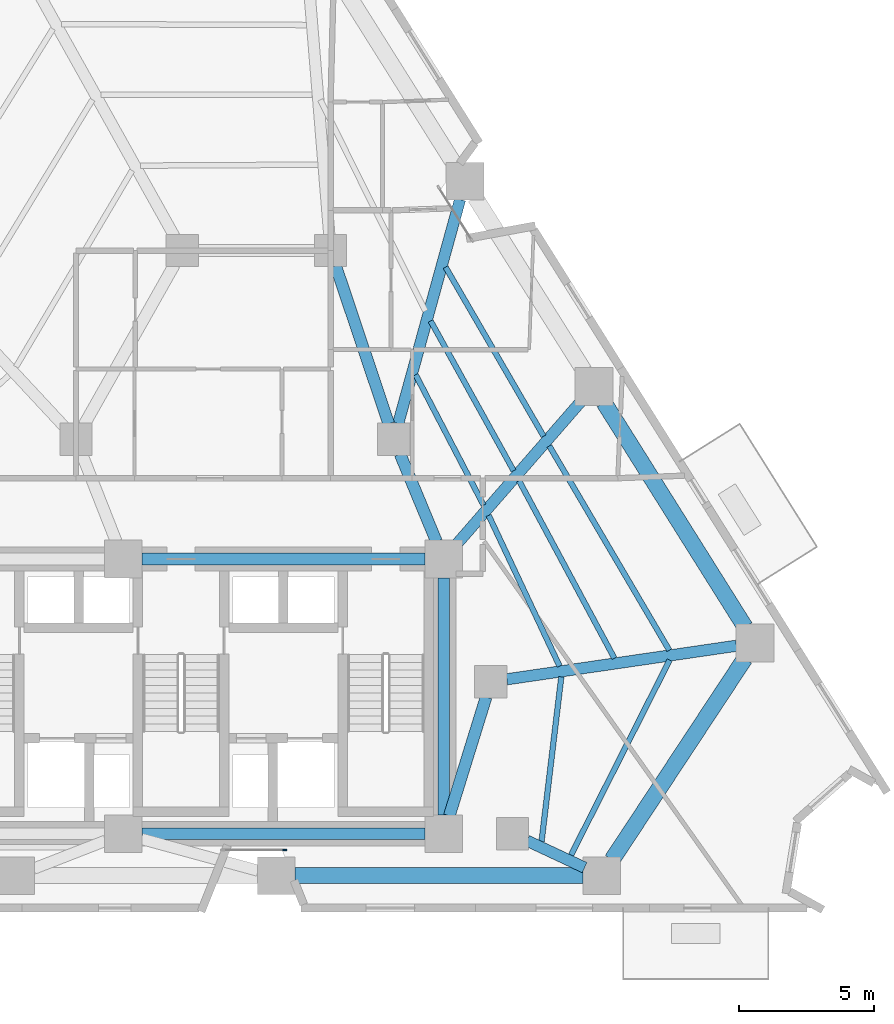
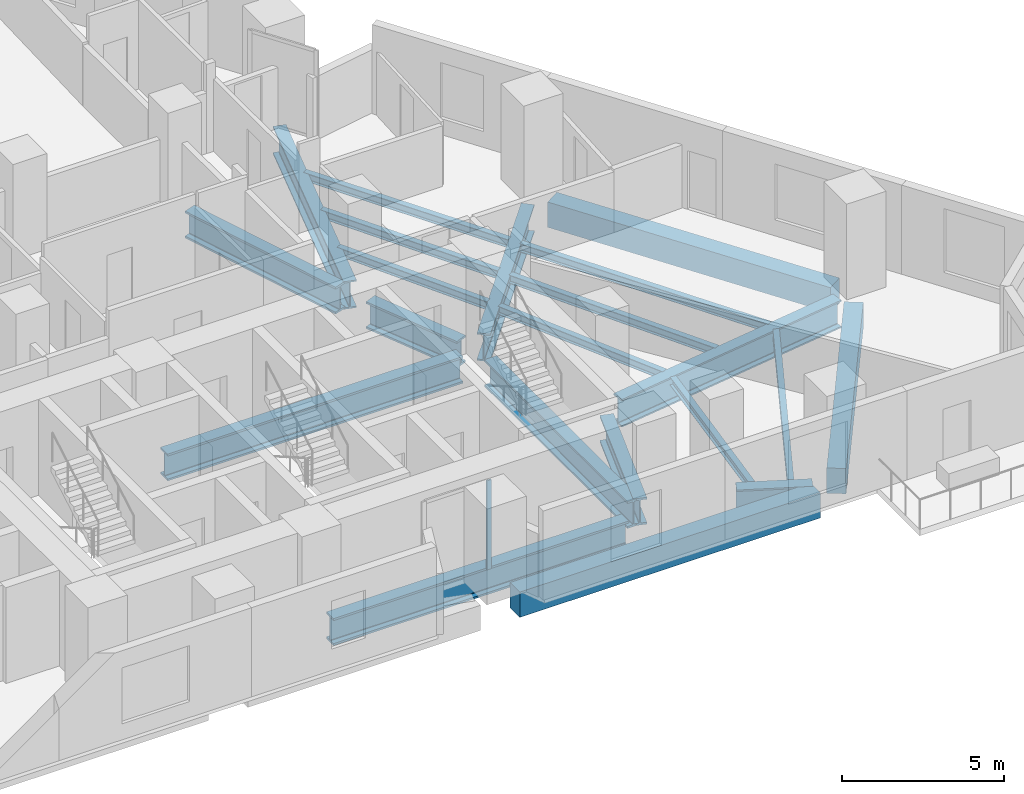
# One storey, part 4 of 13: 21 beams, 1 member, 1 element without a shape of its own.
"""IFC4 building model written with IfcOpenShell, lengths in metres."""

import ifcopenshell
import ifcopenshell.guid

model = None  # the IFC model being written
_history = None  # IfcOwnerHistory: only IFC2X3 demands one
_inside = {}  # id of a spatial element -> (the spatial element, [elements in it])
_under = {}  # id of a project, library or spatial element -> (it, [spatial elements below it])
_declared = {}  # id of a project -> (the project, [libraries it declares])
_typed = {}  # id of a type object -> (the type object, [elements of that type])
_made_of = {}  # id of a material, layer set ... -> (it, [elements and type objects made of it])


def new_model(schema):
    """Start an empty IFC model of exactly this schema.

    Asked for "IFC4X3", IfcOpenShell would pick the latest addendum, in which some entities
    have other attributes; the version numbers below select the first issue.
    IFC2X3 requires an IfcOwnerHistory on every rooted entity: one is made here for all.
    """
    global model, _history
    if schema == "IFC4X3":
        model = ifcopenshell.file(schema_version=(4, 3, 0, 0))
    else:
        model = ifcopenshell.file(schema=schema)
    _inside.clear()
    _under.clear()
    _declared.clear()
    _typed.clear()
    _made_of.clear()
    _history = None
    if model.schema == "IFC2X3":
        org = make("IfcOrganization", Name="unknown")
        user = make(
            "IfcPersonAndOrganization",
            ThePerson=make("IfcPerson", FamilyName="unknown"),
            TheOrganization=org,
        )
        app = make(
            "IfcApplication",
            ApplicationDeveloper=org,
            Version="unknown",
            ApplicationFullName="unknown",
            ApplicationIdentifier="unknown",
        )
        _history = make(
            "IfcOwnerHistory",
            OwningUser=user,
            OwningApplication=app,
            ChangeAction="ADDED",
            CreationDate=0,
        )
    return model


def make(cls, **values):
    """One entity of the class cls with the attributes given. An attribute that is None is left unset."""
    return model.create_entity(
        cls, **{name: value for name, value in values.items() if value is not None}
    )


def rooted(cls, **values):
    """An entity with a GlobalId (a new one), such as an element, a storey or a relation."""
    return make(cls, GlobalId=ifcopenshell.guid.new(), OwnerHistory=_history, **values)


def si_unit(unit_type, name, prefix=None):
    """IfcSIUnit, for example si_unit("LENGTHUNIT", "METRE", prefix="MILLI")."""
    return make("IfcSIUnit", UnitType=unit_type, Prefix=prefix, Name=name)


def assignment(units):
    """IfcUnitAssignment: the units of a project."""
    return None if units is None else make("IfcUnitAssignment", Units=units)


def point(xyz):
    """IfcCartesianPoint."""
    return None if xyz is None else make("IfcCartesianPoint", Coordinates=xyz)


def direction(xyz):
    """IfcDirection."""
    return None if xyz is None else make("IfcDirection", DirectionRatios=xyz)


def frame(location, z_axis=None, x_axis=None):
    """IfcAxis2Placement3D, a coordinate frame: its origin and axes. An axis left out is left unset."""
    return make(
        "IfcAxis2Placement3D",
        Location=point(location),
        Axis=direction(z_axis),
        RefDirection=direction(x_axis),
    )


def frame_2d(location, x_axis=None):
    """IfcAxis2Placement2D, a coordinate frame in the plane: its origin and x axis."""
    return make(
        "IfcAxis2Placement2D", Location=point(location), RefDirection=direction(x_axis)
    )


def origin():
    """The frame at (0, 0, 0) with its axes left unset."""
    return frame((0.0, 0.0, 0.0))


def origin_2d():
    """The frame at (0, 0) in the plane with its x axis left unset."""
    return frame_2d((0.0, 0.0))


def place(relative_to, where):
    """IfcLocalPlacement: puts the frame where relative to a parent placement (None: the world)."""
    return make(
        "IfcLocalPlacement", PlacementRelTo=relative_to, RelativePlacement=where
    )


def context(
    kind, dimensions, precision=None, world=None, true_north=None, identifier=None
):
    """IfcGeometricRepresentationContext, for example the 3D "Model" context."""
    return make(
        "IfcGeometricRepresentationContext",
        ContextIdentifier=identifier,
        ContextType=kind,
        CoordinateSpaceDimension=dimensions,
        Precision=precision,
        WorldCoordinateSystem=world,
        TrueNorth=true_north,
    )


def subcontext(parent, identifier, kind, view, scale=None):
    """IfcGeometricRepresentationSubContext, for example "Body" below "Model"."""
    return make(
        "IfcGeometricRepresentationSubContext",
        ContextIdentifier=identifier,
        ContextType=kind,
        ParentContext=parent,
        TargetScale=scale,
        TargetView=view,
    )


def project(units=None, contexts=None):
    """IfcProject with its units and contexts."""
    return rooted(
        "IfcProject",
        Name="project",
        RepresentationContexts=contexts,
        UnitsInContext=assignment(units),
    )


def spatial(cls, under=None, at=None, **own):
    """A site, building, storey or space (cls), placed at a placement, below another one or the project."""
    s = rooted(cls, ObjectPlacement=at, **own)
    if under is not None:
        _under.setdefault(under.id(), (under, []))[1].append(s)
    return s


def profile(cls, at=None, kind="AREA", **sizes):
    """A parametric profile (cls). Its sizes go by their IFC names, for example OverallWidth=200.0."""
    return make(cls, ProfileType=kind, Position=at, **sizes)


def rectangle(**sizes):
    """IfcRectangleProfileDef."""
    return profile("IfcRectangleProfileDef", **sizes)


def i_section(**sizes):
    """IfcIShapeProfileDef."""
    return profile("IfcIShapeProfileDef", **sizes)


def extrude(swept, where, along, depth):
    """IfcExtrudedAreaSolid: the profile swept, set in the frame where, extruded along a direction by depth."""
    return make(
        "IfcExtrudedAreaSolid",
        SweptArea=swept,
        Position=where,
        ExtrudedDirection=direction(along),
        Depth=depth,
    )


def shape(context_of_items, identifier, shape_type, items):
    """IfcShapeRepresentation: the items that make up one representation, for example the "Body"."""
    return make(
        "IfcShapeRepresentation",
        ContextOfItems=context_of_items,
        RepresentationIdentifier=identifier,
        RepresentationType=shape_type,
        Items=items,
    )


def material(Name=None, Category=None):
    """IfcMaterial."""
    return make("IfcMaterial", Name=Name, Category=Category)


def layer(
    of_material, thickness, ventilated=None, Name=None, Category=None, Priority=None
):
    """IfcMaterialLayer: one layer of a wall or slab, of a material (None: an air gap)."""
    return make(
        "IfcMaterialLayer",
        Material=of_material,
        LayerThickness=thickness,
        IsVentilated=ventilated,
        Name=Name,
        Category=Category,
        Priority=Priority,
    )


def layer_set(layers, Name=None):
    """IfcMaterialLayerSet."""
    return make("IfcMaterialLayerSet", MaterialLayers=layers, LayerSetName=Name)


def material_profile(
    of_material, cross_section, Name=None, Category=None, Priority=None
):
    """IfcMaterialProfile: a cross section and its material."""
    return make(
        "IfcMaterialProfile",
        Name=Name,
        Material=of_material,
        Profile=cross_section,
        Priority=Priority,
        Category=Category,
    )


def profile_set(profiles, Name=None, composite=None):
    """IfcMaterialProfileSet."""
    return make(
        "IfcMaterialProfileSet",
        Name=Name,
        MaterialProfiles=profiles,
        CompositeProfile=composite,
    )


def made_of(thing, what):
    """Note that an element or type object is made of a material, layer set ...; save() writes the relation."""
    if what is not None:
        _made_of.setdefault(what.id(), (what, []))[1].append(thing)
    return thing


def type_object(cls, material=None, **own):
    """A type object (cls), such as IfcWallType, which elements share."""
    return made_of(rooted(cls, **own), material)


def element(
    cls,
    number,
    at=None,
    inside=None,
    cuts=None,
    type_object=None,
    material=None,
    context=None,
    identifier="Body",
    shape_type=None,
    held_by="IfcProductDefinitionShape",
    body=None,
    shapes=None,
    **own,
):
    """One element of the class cls, such as IfcWall. Its Tag is "e" and its number.

    at: its placement. inside: the storey or other place that contains it. cuts: it is an
    opening in that element (IfcRelVoidsElement). A single representation is given by context,
    identifier, shape_type and body (its items); several are given by shapes. held_by: the class
    of the entity that holds the representations. save() writes the other relations.
    """
    e = rooted(cls, Tag="e%d" % number, ObjectPlacement=at, **own)
    if body is not None:
        shapes = [shape(context, identifier, shape_type, body)]
    if shapes is not None:
        e.Representation = make(held_by, Representations=shapes)
    if inside is not None:
        _inside.setdefault(inside.id(), (inside, []))[1].append(e)
    if cuts is not None:
        rooted(
            "IfcRelVoidsElement", RelatingBuildingElement=cuts, RelatedOpeningElement=e
        )
    if type_object is not None:
        _typed.setdefault(type_object.id(), (type_object, []))[1].append(e)
    return made_of(e, material)


def aggregate(whole, parts):
    """IfcRelAggregates: a whole, such as a stair, and the parts it consists of."""
    return rooted("IfcRelAggregates", RelatingObject=whole, RelatedObjects=parts)


def save(model, path):
    """Write the relations noted so far, then the file.

    IfcRelAggregates (storeys below a building ...), IfcRelContainedInSpatialStructure (elements
    in a storey), IfcRelDefinesByType, IfcRelAssociatesMaterial and IfcRelDeclares: one each for
    every whole, place, type object, material and project.
    """
    for whole, parts in _under.values():
        aggregate(whole, parts)
    for where, things in _inside.values():
        rooted(
            "IfcRelContainedInSpatialStructure",
            RelatedElements=things,
            RelatingStructure=where,
        )
    for kind, things in _typed.values():
        rooted("IfcRelDefinesByType", RelatedObjects=things, RelatingType=kind)
    for what, things in _made_of.values():
        rooted("IfcRelAssociatesMaterial", RelatedObjects=things, RelatingMaterial=what)
    for by, libraries in _declared.values():
        rooted("IfcRelDeclares", RelatingContext=by, RelatedDefinitions=libraries)
    model.write(path)


model = new_model("IFC4")

# Units and contexts
model_context = context("Model", 3, precision=1e-05, world=origin(), true_north=direction((0.0, 1.0)))
body_context = subcontext(model_context, "Body", "Model", "MODEL_VIEW")
ifc_project = project(units=[si_unit("LENGTHUNIT", "METRE"), si_unit("AREAUNIT", "SQUARE_METRE"), si_unit("VOLUMEUNIT", "CUBIC_METRE"), si_unit("PLANEANGLEUNIT", "RADIAN"), si_unit("MASSUNIT", "GRAM", prefix="KILO")], contexts=[model_context])

# Site, building, storey
site_placement = place(None, origin())
site = spatial("IfcSite", under=ifc_project, at=site_placement, CompositionType="ELEMENT")
building_placement = place(site_placement, origin())
building = spatial("IfcBuilding", under=site, at=building_placement, Name="Almagre Mirador Tower", CompositionType="ELEMENT")
storey_placement = place(building_placement, frame((0.0, 0.0, 57.0)))
storey = spatial("IfcBuildingStorey", under=building, at=storey_placement, Name="L13", CompositionType="ELEMENT", Elevation=57.0)

# Beams
ifc_material_1 = material(Name="Steel ASTM A992 Grade 50", Category="steel")
ifc_material_profile_1 = material_profile(ifc_material_1, i_section(OverallWidth=0.205078125, OverallDepth=0.31005859375, WebThickness=0.009521484375, FlangeThickness=0.016357421875, FilletRadius=0.013916015625, at=origin_2d()), Name="W12X50")
ifc_profile_set_1 = profile_set([ifc_material_profile_1], Name="Steel ASTM A992 Grade 50")
beam_type_1 = type_object("IfcBeamType", Name="BM-JST-W12X50", PredefinedType="JOIST", material=ifc_profile_set_1)
beam_1_placement = place(storey_placement, frame((51.77490234375, 3.763427734375, -0.405029296875), z_axis=(0.45132909199, 0.892357580079, 0.0), x_axis=(-0.892357580079, 0.45132909199, 0.0)))
element("IfcBeam", 1, at=beam_1_placement, inside=storey, type_object=beam_type_1, Name="L13 secondary floor joist PC04-PC05.1", PredefinedType="JOIST", context=body_context, shape_type="SweptSolid", body=[
    extrude(i_section(OverallWidth=0.205078125, OverallDepth=0.31005859375, WebThickness=0.009521484375, FlangeThickness=0.016357421875, FilletRadius=0.013916015625, at=origin_2d()), origin(), (0.0, 0.0, 1.0), 8.10595703125),
])
beam_2_placement = place(storey_placement, frame((50.6806640625, 4.263916015625, -0.405029296875), z_axis=(0.119026397741, 0.99289109002, 0.0), x_axis=(-0.99289109002, 0.119026397741, 0.0)))
element("IfcBeam", 2, at=beam_2_placement, inside=storey, type_object=beam_type_1, Name="L13 secondary floor joist PC04-PC05.3", PredefinedType="JOIST", context=body_context, shape_type="SweptSolid", body=[
    extrude(i_section(OverallWidth=0.205078125, OverallDepth=0.31005859375, WebThickness=0.009521484375, FlangeThickness=0.016357421875, FilletRadius=0.013916015625, at=origin_2d()), origin(), (0.0, 0.0, 1.0), 6.157470703125),
])
beam_3_placement = place(storey_placement, frame((55.421875, 11.364501953125, -0.405029296875), z_axis=(-0.506385486281, 0.86230721862, 0.0), x_axis=(-0.86230721862, -0.506385486281, 0.0)))
element("IfcBeam", 3, at=beam_3_placement, inside=storey, type_object=beam_type_1, Name="L13 secondary floor joist PC05-PC06.1", PredefinedType="JOIST", context=body_context, shape_type="SweptSolid", body=[
    extrude(i_section(OverallWidth=0.205078125, OverallDepth=0.31005859375, WebThickness=0.009521484375, FlangeThickness=0.016357421875, FilletRadius=0.013916015625, at=origin_2d()), origin(), (0.0, 0.0, 1.0), 8.79443359375),
])
beam_4_placement = place(storey_placement, frame((53.384033203125, 11.0693359375, -0.405029296875), z_axis=(-0.473167442946, 0.880972514291, 0.0), x_axis=(-0.880972514291, -0.473167442946, 0.0)))
element("IfcBeam", 4, at=beam_4_placement, inside=storey, type_object=beam_type_1, Name="L13 secondary floor joist PC05-PC06.2", PredefinedType="JOIST", context=body_context, shape_type="SweptSolid", body=[
    extrude(i_section(OverallWidth=0.205078125, OverallDepth=0.31005859375, WebThickness=0.009521484375, FlangeThickness=0.016357421875, FilletRadius=0.013916015625, at=origin_2d()), origin(), (0.0, 0.0, 1.0), 7.481689453125),
])
beam_5_placement = place(storey_placement, frame((51.34912109375, 10.775390625, -0.405029296875), z_axis=(-0.425658253991, 0.904883998538, 0.0), x_axis=(-0.904883998538, -0.425658253991, 0.0)))
element("IfcBeam", 5, at=beam_5_placement, inside=storey, type_object=beam_type_1, Name="L13 secondary floor joist PC05-PC06.3", PredefinedType="JOIST", context=body_context, shape_type="SweptSolid", body=[
    extrude(i_section(OverallWidth=0.205078125, OverallDepth=0.31005859375, WebThickness=0.009521484375, FlangeThickness=0.016357421875, FilletRadius=0.013916015625, at=origin_2d()), origin(), (0.0, 0.0, 1.0), 6.184814453125),
])
beam_6_placement = place(storey_placement, frame((50.75732421875, 19.309814453125, -0.405029296875), z_axis=(-0.501684848086, 0.865050468586, 0.0), x_axis=(-0.865050468586, -0.501684848086, 0.0)))
element("IfcBeam", 6, at=beam_6_placement, inside=storey, type_object=beam_type_1, Name="L13 secondary floor joist PC06-PC07.1", PredefinedType="JOIST", context=body_context, shape_type="SweptSolid", body=[
    extrude(i_section(OverallWidth=0.205078125, OverallDepth=0.31005859375, WebThickness=0.009521484375, FlangeThickness=0.016357421875, FilletRadius=0.013916015625, at=origin_2d()), origin(), (0.0, 0.0, 1.0), 7.25439453125),
])
beam_7_placement = place(storey_placement, frame((49.643310546875, 18.0283203125, -0.405029296875), z_axis=(-0.484660833116, 0.87470216465, 0.0), x_axis=(-0.87470216465, -0.484660833116, 0.0)))
element("IfcBeam", 7, at=beam_7_placement, inside=storey, type_object=beam_type_1, Name="L13 secondary floor joist PC06-PC07.2", PredefinedType="JOIST", context=body_context, shape_type="SweptSolid", body=[
    extrude(i_section(OverallWidth=0.205078125, OverallDepth=0.31005859375, WebThickness=0.009521484375, FlangeThickness=0.016357421875, FilletRadius=0.013916015625, at=origin_2d()), origin(), (0.0, 0.0, 1.0), 6.355224609375),
])
beam_8_placement = place(storey_placement, frame((48.530517578125, 16.747314453125, -0.405029296875), z_axis=(-0.462141076128, 0.88680641955, 0.0), x_axis=(-0.88680641955, -0.462141076128, 0.0)))
element("IfcBeam", 8, at=beam_8_placement, inside=storey, type_object=beam_type_1, Name="L13 secondary floor joist PC06-PC07.3", PredefinedType="JOIST", context=body_context, shape_type="SweptSolid", body=[
    extrude(i_section(OverallWidth=0.205078125, OverallDepth=0.31005859375, WebThickness=0.009521484375, FlangeThickness=0.016357421875, FilletRadius=0.013916015625, at=origin_2d()), origin(), (0.0, 0.0, 1.0), 5.459228515625),
])
ifc_material_2 = material(Name="Precast concrete C50/60", Category="concrete")
ifc_material_profile_2 = material_profile(ifc_material_2, rectangle(XDim=0.60009765625, YDim=0.949951171875, at=origin_2d()), Name="RC600X950")
ifc_profile_set_2 = profile_set([ifc_material_profile_2], Name="Precast concrete C50/60")
beam_type_2 = type_object("IfcBeamType", Name="BM-SPN-RC600X950", PredefinedType="SPANDREL", material=ifc_profile_set_2)
beam_9_placement = place(storey_placement, frame((41.531982421875, 3.0, -0.72509765625), z_axis=(1.0, 0.0, 0.0), x_axis=(0.0, 1.0, 0.0)))
element("IfcBeam", 9, at=beam_9_placement, inside=storey, type_object=beam_type_2, Name="L13 perimeter spandrel beam PC03-PC04", PredefinedType="SPANDREL", context=body_context, shape_type="SweptSolid", body=[
    extrude(rectangle(XDim=0.60009765625, YDim=0.949951171875, at=origin_2d()), origin(), (0.0, 0.0, 1.0), 10.679931640625),
])
beam_10_placement = place(storey_placement, frame((53.29736328125, 3.58447265625, -0.72509765625), z_axis=(0.550560338686, 0.834795372211, 0.0), x_axis=(-0.834795372211, 0.550560338686, 0.0)))
element("IfcBeam", 10, at=beam_10_placement, inside=storey, type_object=beam_type_2, Name="L13 perimeter spandrel beam PC04-PC05", PredefinedType="SPANDREL", context=body_context, shape_type="SweptSolid", body=[
    extrude(rectangle(XDim=0.60009765625, YDim=0.949951171875, at=origin_2d()), origin(), (0.0, 0.0, 1.0), 8.9423828125),
])
beam_11_placement = place(storey_placement, frame((58.233642578125, 12.226806640625, -0.72509765625), z_axis=(-0.531919552243, 0.846794892487, 0.0), x_axis=(-0.846794892487, -0.531919552243, 0.0)))
element("IfcBeam", 11, at=beam_11_placement, inside=storey, type_object=beam_type_2, Name="L13 perimeter spandrel beam PC05-PC06", PredefinedType="SPANDREL", context=body_context, shape_type="SweptSolid", body=[
    extrude(rectangle(XDim=0.60009765625, YDim=0.949951171875, at=origin_2d()), origin(), (0.0, 0.0, 1.0), 9.84228515625),
])
ifc_material_3 = material(Name="Steel ASTM A992 Grade 50", Category="steel")
ifc_material_profile_3 = material_profile(ifc_material_3, i_section(OverallWidth=0.43701171875, OverallDepth=1.010986328125, WebThickness=0.041015625, FlangeThickness=0.073974609375, FilletRadius=0.028076171875, at=origin_2d()), Name="W36X529")
ifc_profile_set_3 = profile_set([ifc_material_profile_3], Name="Steel ASTM A992 Grade 50")
beam_type_3 = type_object("IfcBeamType", Name="BM-STL-W36X529", PredefinedType="BEAM", material=ifc_profile_set_3)
for number, where, z_axis, x_axis, name in (
    (12, (35.85009765625, 4.550048828125, -0.755615234375), (1.0, 0.0, 0.0), (0.0, 1.0, 0.0), "L13 core tie girder CC2-CC3"),
    (13, (35.85009765625, 14.75, -0.755615234375), (1.0, 0.0, 0.0), (0.0, 1.0, 0.0), "L13 core tie girder CC5-CC6"),
):
    element("IfcBeam", number, at=place(storey_placement, frame(where, z_axis=z_axis, x_axis=x_axis)), inside=storey, type_object=beam_type_3, Name=name, PredefinedType="BEAM", context=body_context, shape_type="SweptSolid", body=[
        extrude(i_section(OverallWidth=0.43701171875, OverallDepth=1.010986328125, WebThickness=0.041015625, FlangeThickness=0.073974609375, FilletRadius=0.028076171875, at=origin_2d()), origin(), (0.0, 0.0, 1.0), 10.5),
    ])
beam_12_placement = place(storey_placement, frame((47.050048828125, 5.25, -0.755615234375), z_axis=(0.0, 1.0, 0.0), x_axis=(-1.0, 0.0, 0.0)))
element("IfcBeam", 14, at=beam_12_placement, inside=storey, type_object=beam_type_3, Name="L13 core tie girder CC3-CC6", PredefinedType="BEAM", context=body_context, shape_type="SweptSolid", body=[
    extrude(i_section(OverallWidth=0.43701171875, OverallDepth=1.010986328125, WebThickness=0.041015625, FlangeThickness=0.073974609375, FilletRadius=0.028076171875, at=origin_2d()), origin(), (0.0, 0.0, 1.0), 8.800048828125),
])
beam_13_placement = place(storey_placement, frame((48.62255859375, 9.626953125, -0.755615234375), z_axis=(-0.295888328273, -0.955222538046, 0.0), x_axis=(0.955222538046, -0.295888328273, 0.0)))
element("IfcBeam", 15, at=beam_13_placement, inside=storey, type_object=beam_type_3, Name="L13 core tie girder MC3-CC3", PredefinedType="BEAM", context=body_context, shape_type="SweptSolid", body=[
    extrude(i_section(OverallWidth=0.43701171875, OverallDepth=1.010986328125, WebThickness=0.041015625, FlangeThickness=0.073974609375, FilletRadius=0.028076171875, at=origin_2d()), origin(), (0.0, 0.0, 1.0), 4.61474609375),
])
beam_14_placement = place(storey_placement, frame((45.430419921875, 18.64599609375, -0.755615234375), z_axis=(0.383856635851, -0.923392702545, 0.0), x_axis=(0.923392702545, 0.383856635851, 0.0)))
element("IfcBeam", 16, at=beam_14_placement, inside=storey, type_object=beam_type_3, Name="L13 core tie girder MC5-CC6", PredefinedType="BEAM", context=body_context, shape_type="SweptSolid", body=[
    extrude(i_section(OverallWidth=0.43701171875, OverallDepth=1.010986328125, WebThickness=0.041015625, FlangeThickness=0.073974609375, FilletRadius=0.028076171875, at=origin_2d()), origin(), (0.0, 0.0, 1.0), 3.51904296875),
])
beam_15_placement = place(storey_placement, frame((43.041015625, 25.631103515625, -0.755615234375), z_axis=(0.318252395552, -0.948006019351, 0.0), x_axis=(0.948006019351, 0.318252395552, 0.0)))
element("IfcBeam", 17, at=beam_15_placement, inside=storey, type_object=beam_type_3, Name="L13 core tie girder MC6-MC5", PredefinedType="BEAM", context=body_context, shape_type="SweptSolid", body=[
    extrude(i_section(OverallWidth=0.43701171875, OverallDepth=1.010986328125, WebThickness=0.041015625, FlangeThickness=0.073974609375, FilletRadius=0.028076171875, at=origin_2d()), origin(), (0.0, 0.0, 1.0), 6.183837890625),
])
ifc_material_4 = material(Name="Steel ASTM A913 Grade 65", Category="steel")
ifc_material_profile_4 = material_profile(ifc_material_4, i_section(OverallWidth=0.4189453125, OverallDepth=1.041015625, WebThickness=0.031005859375, FlangeThickness=0.055908203125, FilletRadius=0.030029296875, at=origin_2d()), Name="W40X397")
ifc_profile_set_4 = profile_set([ifc_material_profile_4], Name="Steel ASTM A913 Grade 65")
beam_type_4 = type_object("IfcBeamType", Name="BM-STL-W40X397", PredefinedType="BEAM", material=ifc_profile_set_4)
beam_16_placement = place(storey_placement, frame((52.278076171875, 3.296630859375, -0.7705078125), z_axis=(-0.905727455925, 0.423860561487, 0.0), x_axis=(-0.423860561487, -0.905727455925, 0.0)))
element("IfcBeam", 18, at=beam_16_placement, inside=storey, type_object=beam_type_4, Name="L13 radial floor girder PC04-MC2", PredefinedType="BEAM", context=body_context, shape_type="SweptSolid", body=[
    extrude(i_section(OverallWidth=0.4189453125, OverallDepth=1.041015625, WebThickness=0.031005859375, FlangeThickness=0.055908203125, FilletRadius=0.030029296875, at=origin_2d()), origin(), (0.0, 0.0, 1.0), 2.35693359375),
])
beam_17_placement = place(storey_placement, frame((57.913330078125, 11.53271484375, -0.7705078125), z_axis=(-0.989476218812, -0.144695585299, 0.0), x_axis=(0.144695585299, -0.989476218812, 0.0)))
element("IfcBeam", 19, at=beam_17_placement, inside=storey, type_object=beam_type_4, Name="L13 radial floor girder PC05-MC3", PredefinedType="BEAM", context=body_context, shape_type="SweptSolid", body=[
    extrude(i_section(OverallWidth=0.4189453125, OverallDepth=1.041015625, WebThickness=0.031005859375, FlangeThickness=0.055908203125, FilletRadius=0.030029296875, at=origin_2d()), origin(), (0.0, 0.0, 1.0), 8.610107421875),
])
beam_18_placement = place(storey_placement, frame((52.166259765625, 20.626220703125, -0.7705078125), z_axis=(-0.6566380112, -0.7542058885, 0.0), x_axis=(0.7542058885, -0.6566380112, 0.0)))
element("IfcBeam", 20, at=beam_18_placement, inside=storey, type_object=beam_type_4, Name="L13 radial floor girder PC06-CC6", PredefinedType="BEAM", context=body_context, shape_type="SweptSolid", body=[
    extrude(i_section(OverallWidth=0.4189453125, OverallDepth=1.041015625, WebThickness=0.031005859375, FlangeThickness=0.055908203125, FilletRadius=0.030029296875, at=origin_2d()), origin(), (0.0, 0.0, 1.0), 7.09130859375),
])
beam_19_placement = place(storey_placement, frame((47.65576171875, 28.09521484375, -0.7705078125), z_axis=(-0.266125752787, -0.96393831945, 0.0), x_axis=(0.96393831945, -0.266125752787, 0.0)))
element("IfcBeam", 21, at=beam_19_placement, inside=storey, type_object=beam_type_4, Name="L13 radial floor girder PC07-MC5", PredefinedType="BEAM", context=body_context, shape_type="SweptSolid", body=[
    extrude(i_section(OverallWidth=0.4189453125, OverallDepth=1.041015625, WebThickness=0.031005859375, FlangeThickness=0.055908203125, FilletRadius=0.030029296875, at=origin_2d()), origin(), (0.0, 0.0, 1.0), 8.6279296875),
])

# Curtain wall, member
ifc_material_5 = material(Name="Black anodized aluminium", Category="aluminium")
ifc_layer = layer(ifc_material_5, 0.169921875)
ifc_layer_set = layer_set([ifc_layer], Name="Black anodized aluminium")
curtain_wall_type = type_object("IfcCurtainWallType", Name="CW-CRS-SYS", PredefinedType="NOTDEFINED", material=ifc_layer_set)
curtain_wall_placement = place(storey_placement, origin())
curtain_wall = element("IfcCurtainWall", 22, at=curtain_wall_placement, inside=storey, type_object=curtain_wall_type, Name="L13 vertical crease curtain wall 04", PredefinedType="NOTDEFINED")
ifc_material_6 = material(Name="Black anodized aluminium", Category="aluminium")
ifc_material_profile_5 = material_profile(ifc_material_6, rectangle(XDim=0.06005859375, YDim=0.14990234375, at=origin_2d()), Name="CWM60X150")
ifc_profile_set_5 = profile_set([ifc_material_profile_5], Name="Black anodized aluminium")
member_type = type_object("IfcMemberType", Name="MBR-CWM60X150", PredefinedType="MULLION", material=ifc_profile_set_5)
member_placement = place(storey_placement, frame((41.155029296875, 3.949951171875, 0.0), z_axis=(0.0, 0.0, 1.0), x_axis=(0.0, -1.0, 0.0)))
member = element("IfcMember", 23, at=member_placement, type_object=member_type, Name="CW-4 mullion 1", PredefinedType="MULLION", context=body_context, shape_type="SweptSolid", body=[
    extrude(rectangle(XDim=0.06005859375, YDim=0.14990234375, at=origin_2d()), origin(), (0.0, 0.0, 1.0), 3.35009765625),
])
aggregate(curtain_wall, [member])

save(model, "model.ifc")
